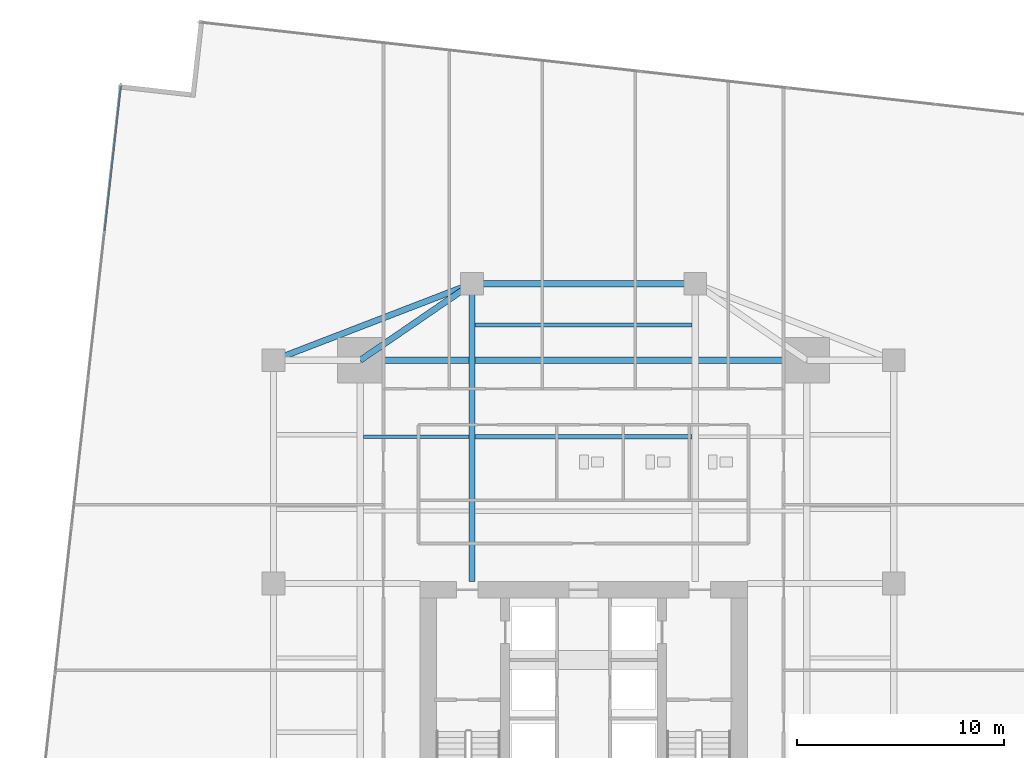
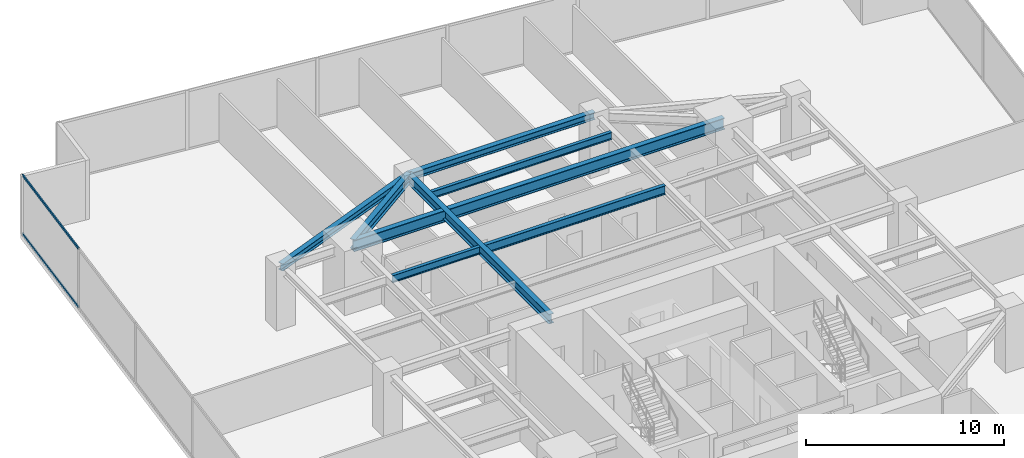
# One storey, part 17 of 29: 8 beams, 2 members, 1 element without a shape of its own.
"""IFC4 building model written with IfcOpenShell, lengths in metres."""

from ifc_helpers import new_model, si_unit, direction, frame, origin, origin_2d, place, context, subcontext, project, spatial, hollow_rectangle, i_section, extrude, source, transform, mapped, material, material_profile, profile_set, type_object, type_shapes, element, aggregate, save


model = new_model("IFC4")

# Units and contexts
model_context = context("Model", 3, precision=1e-05, world=origin(), true_north=direction((0.0, 1.0)))
body_context = subcontext(model_context, "Body", "Model", "MODEL_VIEW")
ifc_project = project(units=[si_unit("LENGTHUNIT", "METRE"), si_unit("AREAUNIT", "SQUARE_METRE"), si_unit("VOLUMEUNIT", "CUBIC_METRE"), si_unit("PLANEANGLEUNIT", "RADIAN"), si_unit("MASSUNIT", "GRAM", prefix="KILO")], contexts=[model_context])

# Site, building, storey
site_placement = place(None, origin())
site = spatial("IfcSite", under=ifc_project, at=site_placement, CompositionType="ELEMENT")
building_placement = place(site_placement, origin())
building = spatial("IfcBuilding", under=site, at=building_placement, Name="Krantzveldt Concourse Tower", CompositionType="ELEMENT")
storey_placement = place(building_placement, frame((0.0, 0.0, 60.550048828125)))
storey = spatial("IfcBuildingStorey", under=building, at=storey_placement, Name="L14", CompositionType="ELEMENT", Elevation=60.550048828125)

# Beams
ifc_material_1 = material(Name="Steel S355J2", Category="steel")
ifc_material_profile_1 = material_profile(ifc_material_1, i_section(OverallWidth=0.300048828125, OverallDepth=0.699951171875, WebThickness=0.01708984375, FlangeThickness=0.031982421875, FilletRadius=0.027099609375, at=origin_2d()), Name="Steel S355J2", Category="steel")
ifc_profile_set_1 = profile_set([ifc_material_profile_1], Name="Steel S355J2 - HEB 700")
beam_type_1 = type_object("IfcBeamType", Name="BM-B-HEB700", PredefinedType="BEAM", material=ifc_profile_set_1)
shared_shape_1 = source(origin(), body_context, "Body", "SweptSolid", [
    extrude(i_section(OverallWidth=0.300048828125, OverallDepth=0.699951171875, WebThickness=0.01708984375, FlangeThickness=0.031982421875, FilletRadius=0.027099609375, at=origin_2d()), origin(), (0.0, 0.0, 1.0), 21.60009765625),
])
type_shapes(beam_type_1, [shared_shape_1])
beam_1_placement = place(storey_placement, frame((25.199951171875, 37.5, 3.320068359375), z_axis=(1.0, 0.0, 0.0), x_axis=(0.0, 1.0, 0.0)))
element("IfcBeam", 1, at=beam_1_placement, inside=storey, type_object=beam_type_1, Name="L14 Tower Girder BG-MN", PredefinedType="BEAM", context=body_context, shape_type="MappedRepresentation", body=[
    mapped(shared_shape_1, transform((0.0, 0.0, 0.0), x_axis=(1.0, 0.0, 0.0), y_axis=(0.0, 1.0, 0.0), z_axis=(0.0, 0.0, 1.0), scale=1.0)),
])
ifc_material_2 = material(Name="Steel S355JR", Category="steel")
ifc_material_profile_2 = material_profile(ifc_material_2, i_section(OverallWidth=0.300048828125, OverallDepth=0.590087890625, WebThickness=0.012939453125, FlangeThickness=0.02490234375, FilletRadius=0.027099609375, at=origin_2d()), Name="Steel S355JR", Category="steel")
ifc_profile_set_2 = profile_set([ifc_material_profile_2], Name="Steel S355JR - HEA 600")
beam_type_2 = type_object("IfcBeamType", Name="BM-B-HEA600", PredefinedType="BEAM", material=ifc_profile_set_2)
shared_shape_2 = source(origin(), body_context, "Body", "SweptSolid", [
    extrude(i_section(OverallWidth=0.300048828125, OverallDepth=0.590087890625, WebThickness=0.012939453125, FlangeThickness=0.02490234375, FilletRadius=0.027099609375, at=origin_2d()), origin(), (0.0, 0.0, 1.0), 14.39990234375),
])
beam_2_placement = place(storey_placement, frame((30.60009765625, 26.800048828125, 3.375), z_axis=(0.0, 1.0, 0.0), x_axis=(-1.0, 0.0, 0.0)))
element("IfcBeam", 2, at=beam_2_placement, inside=storey, type_object=beam_type_2, Name="L14 Tower Girder BG-CNW", PredefinedType="BEAM", context=body_context, shape_type="MappedRepresentation", body=[
    mapped(shared_shape_2, transform((0.0, 0.0, 0.0), x_axis=(1.0, 0.0, 0.0), y_axis=(0.0, 1.0, 0.0), z_axis=(0.0, 0.0, 1.0), scale=1.0)),
])
ifc_material_profile_3 = material_profile(ifc_material_2, i_section(OverallWidth=0.300048828125, OverallDepth=0.43994140625, WebThickness=0.011474609375, FlangeThickness=0.02099609375, FilletRadius=0.027099609375, at=origin_2d()), Name="Steel S355JR", Category="steel")
ifc_profile_set_3 = profile_set([ifc_material_profile_3], Name="Steel S355JR - HEA 450")
beam_type_3 = type_object("IfcBeamType", Name="BM-SP-HEA450", PredefinedType="SPANDREL", material=ifc_profile_set_3)
shared_shape_3 = source(origin(), body_context, "Body", "SweptSolid", [
    extrude(i_section(OverallWidth=0.300048828125, OverallDepth=0.43994140625, WebThickness=0.011474609375, FlangeThickness=0.02099609375, FilletRadius=0.027099609375, at=origin_2d()), origin(), (0.0, 0.0, 1.0), 10.288330078125),
])
beam_3_placement = place(storey_placement, frame((21.0, 37.5, 3.449951171875), z_axis=(0.933097690408, 0.359622997257, 0.0), x_axis=(-0.359622997257, 0.933097690408, 0.0)))
element("IfcBeam", 3, at=beam_3_placement, inside=storey, type_object=beam_type_3, Name="L14 Tower Girder SP-R03", PredefinedType="SPANDREL", context=body_context, shape_type="MappedRepresentation", body=[
    mapped(shared_shape_3, transform((0.0, 0.0, 0.0), x_axis=(1.0, 0.0, 0.0), y_axis=(0.0, 1.0, 0.0), z_axis=(0.0, 0.0, 1.0), scale=1.0)),
])
shared_shape_4 = source(origin(), body_context, "Body", "SweptSolid", [
    extrude(i_section(OverallWidth=0.300048828125, OverallDepth=0.43994140625, WebThickness=0.011474609375, FlangeThickness=0.02099609375, FilletRadius=0.027099609375, at=origin_2d()), origin(), (0.0, 0.0, 1.0), 10.7998046875),
])
type_shapes(beam_type_3, [shared_shape_3, shared_shape_4])
beam_4_placement = place(storey_placement, frame((30.60009765625, 41.199951171875, 3.449951171875), z_axis=(1.0, 0.0, 0.0), x_axis=(0.0, 1.0, 0.0)))
element("IfcBeam", 4, at=beam_4_placement, inside=storey, type_object=beam_type_3, Name="L14 Tower Girder SP-R04", PredefinedType="SPANDREL", context=body_context, shape_type="MappedRepresentation", body=[
    mapped(shared_shape_4, transform((0.0, 0.0, 0.0), x_axis=(1.0, 0.0, 0.0), y_axis=(0.0, 1.0, 0.0), z_axis=(0.0, 0.0, 1.0), scale=1.0)),
])
shared_shape_5 = source(origin(), body_context, "Body", "SweptSolid", [
    extrude(i_section(OverallWidth=0.300048828125, OverallDepth=0.590087890625, WebThickness=0.012939453125, FlangeThickness=0.02490234375, FilletRadius=0.027099609375, at=origin_2d()), origin(), (0.0, 0.0, 1.0), 6.546142578125),
])
type_shapes(beam_type_2, [shared_shape_2, shared_shape_5])
beam_5_placement = place(storey_placement, frame((25.199951171875, 37.5, 3.375), z_axis=(0.824942999484, 0.565215930068, 0.0), x_axis=(-0.565215930068, 0.824942999484, 0.0)))
element("IfcBeam", 5, at=beam_5_placement, inside=storey, type_object=beam_type_2, Name="L14 Tower Girder BR-RL4", PredefinedType="BEAM", context=body_context, shape_type="MappedRepresentation", body=[
    mapped(shared_shape_5, transform((0.0, 0.0, 0.0), x_axis=(1.0, 0.0, 0.0), y_axis=(0.0, 1.0, 0.0), z_axis=(0.0, 0.0, 1.0), scale=1.0)),
])
ifc_material_profile_4 = material_profile(ifc_material_2, i_section(OverallWidth=0.2099609375, OverallDepth=0.550048828125, WebThickness=0.010986328125, FlangeThickness=0.01708984375, FilletRadius=0.02392578125, at=origin_2d()), Name="Steel S355JR", Category="steel")
ifc_profile_set_4 = profile_set([ifc_material_profile_4], Name="Steel S355JR - IPE 550")
beam_type_4 = type_object("IfcBeamType", Name="BM-J-IPE550", PredefinedType="JOIST", material=ifc_profile_set_4)
shared_shape_6 = source(origin(), body_context, "Body", "SweptSolid", [
    extrude(i_section(OverallWidth=0.2099609375, OverallDepth=0.550048828125, WebThickness=0.010986328125, FlangeThickness=0.01708984375, FilletRadius=0.02392578125, at=origin_2d()), origin(), (0.0, 0.0, 1.0), 10.5),
])
type_shapes(beam_type_4, [shared_shape_6])
beam_6_placement = place(storey_placement, frame((30.75, 33.800048828125, 3.39501953125), z_axis=(1.0, 0.0, 0.0), x_axis=(0.0, 1.0, 0.0)))
element("IfcBeam", 6, at=beam_6_placement, inside=storey, type_object=beam_type_4, Name="L14 Secondary Floor Joist JN-C2", PredefinedType="JOIST", context=body_context, shape_type="MappedRepresentation", body=[
    mapped(shared_shape_6, transform((0.0, 0.0, 0.0), x_axis=(1.0, 0.0, 0.0), y_axis=(0.0, 1.0, 0.0), z_axis=(0.0, 0.0, 1.0), scale=1.0)),
])
ifc_material_profile_5 = material_profile(ifc_material_2, i_section(OverallWidth=0.18994140625, OverallDepth=0.449951171875, WebThickness=0.009521484375, FlangeThickness=0.0146484375, FilletRadius=0.02099609375, at=origin_2d()), Name="Steel S355JR", Category="steel")
ifc_profile_set_5 = profile_set([ifc_material_profile_5], Name="Steel S355JR - IPE 450")
beam_type_5 = type_object("IfcBeamType", Name="BM-J-IPE450", PredefinedType="JOIST", material=ifc_profile_set_5)
shared_shape_7 = source(origin(), body_context, "Body", "SweptSolid", [
    extrude(i_section(OverallWidth=0.18994140625, OverallDepth=0.449951171875, WebThickness=0.009521484375, FlangeThickness=0.0146484375, FilletRadius=0.02099609375, at=origin_2d()), origin(), (0.0, 0.0, 1.0), 10.5),
])
beam_7_placement = place(storey_placement, frame((30.75, 39.199951171875, 3.445068359375), z_axis=(1.0, 0.0, 0.0), x_axis=(0.0, 1.0, 0.0)))
element("IfcBeam", 7, at=beam_7_placement, inside=storey, type_object=beam_type_5, Name="L14 Secondary Floor Joist JN-C3", PredefinedType="JOIST", context=body_context, shape_type="MappedRepresentation", body=[
    mapped(shared_shape_7, transform((0.0, 0.0, 0.0), x_axis=(1.0, 0.0, 0.0), y_axis=(0.0, 1.0, 0.0), z_axis=(0.0, 0.0, 1.0), scale=1.0)),
])
shared_shape_8 = source(origin(), body_context, "Body", "SweptSolid", [
    extrude(i_section(OverallWidth=0.18994140625, OverallDepth=0.449951171875, WebThickness=0.009521484375, FlangeThickness=0.0146484375, FilletRadius=0.02099609375, at=origin_2d()), origin(), (0.0, 0.0, 1.0), 5.099853515625),
])
type_shapes(beam_type_5, [shared_shape_7, shared_shape_8])
beam_8_placement = place(storey_placement, frame((25.35009765625, 33.800048828125, 3.445068359375), z_axis=(1.0, 0.0, 0.0), x_axis=(0.0, 1.0, 0.0)))
element("IfcBeam", 8, at=beam_8_placement, inside=storey, type_object=beam_type_5, Name="L14 Secondary Floor Joist JN-W2", PredefinedType="JOIST", context=body_context, shape_type="MappedRepresentation", body=[
    mapped(shared_shape_8, transform((0.0, 0.0, 0.0), x_axis=(1.0, 0.0, 0.0), y_axis=(0.0, 1.0, 0.0), z_axis=(0.0, 0.0, 1.0), scale=1.0)),
])

# Curtain wall, members
ifc_material_3 = material(Name="Anodised aluminium 6063-T6", Category="aluminium")
curtain_wall_type = type_object("IfcCurtainWallType", Name="CW2", PredefinedType="USERDEFINED", material=ifc_material_3)
curtain_wall_placement = place(storey_placement, origin())
curtain_wall = element("IfcCurtainWall", 9, at=curtain_wall_placement, inside=storey, type_object=curtain_wall_type, Name="CW-L14-F01", ObjectType="UNITISED CURTAIN WALL", PredefinedType="USERDEFINED")
ifc_material_profile_6 = material_profile(ifc_material_3, hollow_rectangle(XDim=0.070068359375, YDim=0.139892578125, WallThickness=0.0048828125, at=origin_2d()), Name="Anodised aluminium 6063-T6", Category="aluminium")
ifc_profile_set_6 = profile_set([ifc_material_profile_6], Name="Anodised aluminium 6063-T6 - ALU-TRAN 140x70x5")
member_type = type_object("IfcMemberType", Name="CW-TRN-150", PredefinedType="USERDEFINED", material=ifc_profile_set_6)
shared_shape_9 = source(origin(), body_context, "Body", "SweptSolid", [
    extrude(hollow_rectangle(XDim=0.070068359375, YDim=0.139892578125, WallThickness=0.0048828125, at=origin_2d()), origin(), (0.0, 0.0, 1.0), 7.061767578125),
])
type_shapes(member_type, [shared_shape_9])
member_1_placement = place(storey_placement, frame((13.62353515625, 50.763427734375, 0.034912109375), z_axis=(-0.111046217254, -0.993815243208, 0.0), x_axis=(0.993815243208, -0.111046217254, 0.0)))
member_1 = element("IfcMember", 10, at=member_1_placement, type_object=member_type, Name="CW-Z12 transom 1.1", ObjectType="TRANSOM", PredefinedType="USERDEFINED", context=body_context, shape_type="MappedRepresentation", body=[
    mapped(shared_shape_9, transform((0.0, 0.0, 0.0), x_axis=(1.0, 0.0, 0.0), y_axis=(0.0, 1.0, 0.0), z_axis=(0.0, 0.0, 1.0), scale=1.0)),
])
member_2_placement = place(storey_placement, frame((13.62353515625, 50.763427734375, 3.635009765625), z_axis=(-0.111046217254, -0.993815243208, 0.0), x_axis=(0.993815243208, -0.111046217254, 0.0)))
member_2 = element("IfcMember", 11, at=member_2_placement, type_object=member_type, Name="CW-Z12 transom 1.2", ObjectType="TRANSOM", PredefinedType="USERDEFINED", context=body_context, shape_type="MappedRepresentation", body=[
    mapped(shared_shape_9, transform((0.0, 0.0, 0.0), x_axis=(1.0, 0.0, 0.0), y_axis=(0.0, 1.0, 0.0), z_axis=(0.0, 0.0, 1.0), scale=1.0)),
])
aggregate(curtain_wall, [member_1, member_2])

save(model, "model.ifc")
